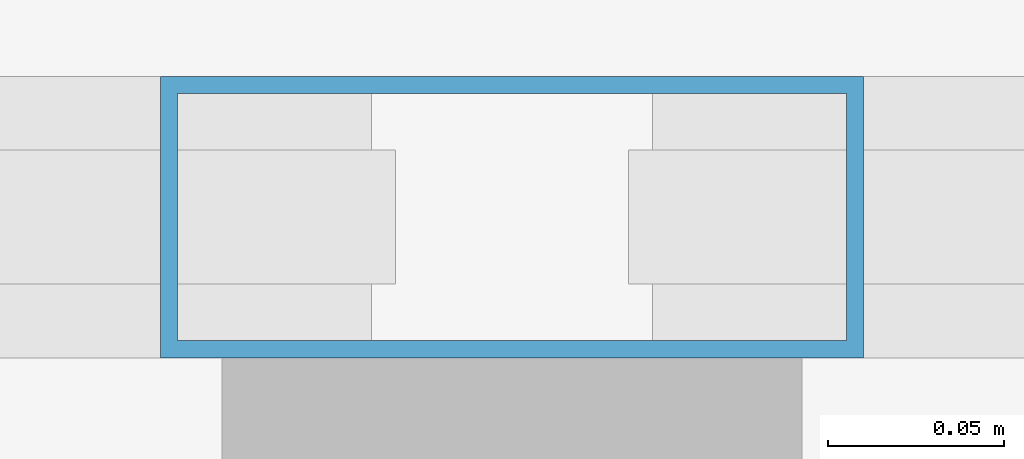
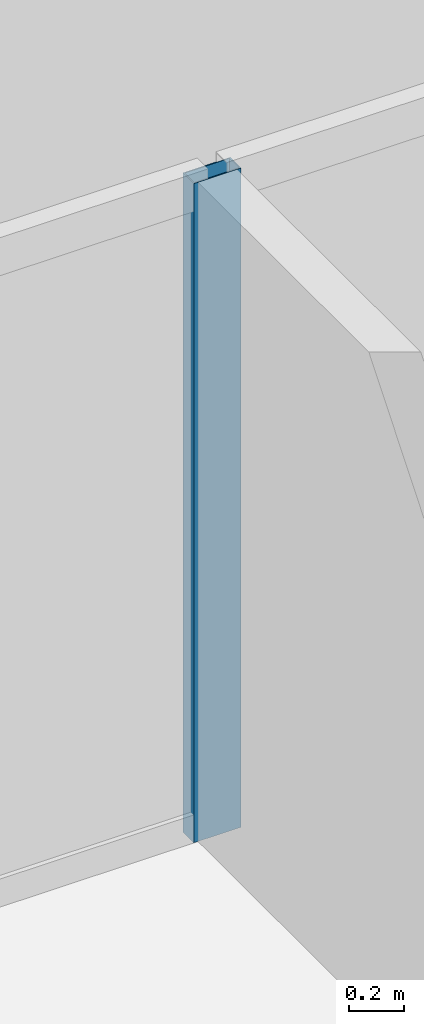
# One storey, part 12 of 21: 1 member, 1 element without a shape of its own.
"""IFC4 building model written with IfcOpenShell, lengths in metres."""

from ifc_helpers import new_model, si_unit, direction, frame, origin, origin_2d, place, context, subcontext, project, spatial, hollow_rectangle, extrude, source, transform, mapped, material, layer, layer_set, material_profile, profile_set, type_object, element, aggregate, save


model = new_model("IFC4")

# Units and contexts
model_context = context("Model", 3, precision=1e-05, world=origin(), true_north=direction((0.0, 1.0)))
body_context = subcontext(model_context, "Body", "Model", "MODEL_VIEW")
ifc_project = project(units=[si_unit("LENGTHUNIT", "METRE"), si_unit("AREAUNIT", "SQUARE_METRE"), si_unit("VOLUMEUNIT", "CUBIC_METRE"), si_unit("PLANEANGLEUNIT", "RADIAN"), si_unit("MASSUNIT", "GRAM", prefix="KILO")], contexts=[model_context])

# Site, building, storey
site_placement = place(None, origin())
site = spatial("IfcSite", under=ifc_project, at=site_placement, CompositionType="ELEMENT")
building_placement = place(site_placement, origin())
building = spatial("IfcBuilding", under=site, at=building_placement, Name="Kolveth Station Tower", CompositionType="ELEMENT")
storey_placement = place(building_placement, frame((0.0, 0.0, 134.300048828125)))
storey = spatial("IfcBuildingStorey", under=building, at=storey_placement, Name="L37", CompositionType="ELEMENT", Elevation=134.300048828125)

# Curtain wall, member
ifc_material_1 = material(Name="Aluminium 6063-T6 and low-E dark glass", Category="aluminium")
ifc_layer = layer(ifc_material_1, 0.18994140625)
ifc_layer_set = layer_set([ifc_layer], Name="Aluminium 6063-T6 and low-E dark glass")
curtain_wall_type = type_object("IfcCurtainWallType", Name="CurtainWall_CW-Z2", PredefinedType="NOTDEFINED", material=ifc_layer_set)
curtain_wall_placement = place(storey_placement, origin())
curtain_wall = element("IfcCurtainWall", 1, at=curtain_wall_placement, inside=storey, type_object=curtain_wall_type, Name="L37 Inner Thermal Curtain Wall 6", PredefinedType="NOTDEFINED")
ifc_material_2 = material(Name="Black anodized aluminium 6063-T6", Category="aluminium")
ifc_material_profile = material_profile(ifc_material_2, hollow_rectangle(XDim=0.080078125, YDim=0.199951171875, WallThickness=0.0048828125, at=origin_2d()), Name="ALU-80x200x5")
ifc_profile_set = profile_set([ifc_material_profile], Name="Black anodized aluminium 6063-T6")
member_type = type_object("IfcMemberType", Name="Mullion_ML2", PredefinedType="MULLION", material=ifc_profile_set)
shared_shape = source(origin(), body_context, "Body", "SweptSolid", [
    extrude(hollow_rectangle(XDim=0.080078125, YDim=0.199951171875, WallThickness=0.0048828125, at=origin_2d()), origin(), (0.0, 0.0, 1.0), 2.949951171875),
])
member_placement = place(storey_placement, frame((23.5, 35.179931640625, 0.0), z_axis=(0.0, 0.0, 1.0), x_axis=(0.0, -1.0, 0.0)))
member = element("IfcMember", 2, at=member_placement, type_object=member_type, Name="CW-Z2 mullion 2", PredefinedType="MULLION", context=body_context, shape_type="MappedRepresentation", body=[
    mapped(shared_shape, transform((0.0, 0.0, 0.0), x_axis=(1.0, 0.0, 0.0), y_axis=(0.0, 1.0, 0.0), z_axis=(0.0, 0.0, 1.0), scale=1.0)),
])
aggregate(curtain_wall, [member])

save(model, "model.ifc")
